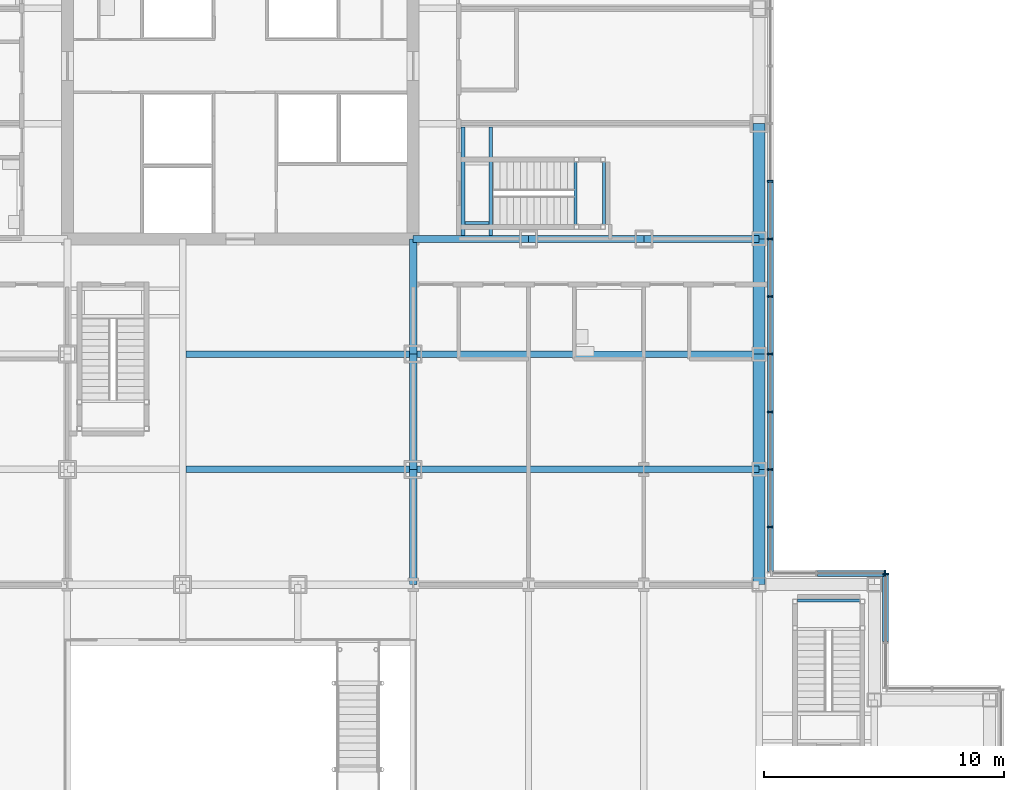
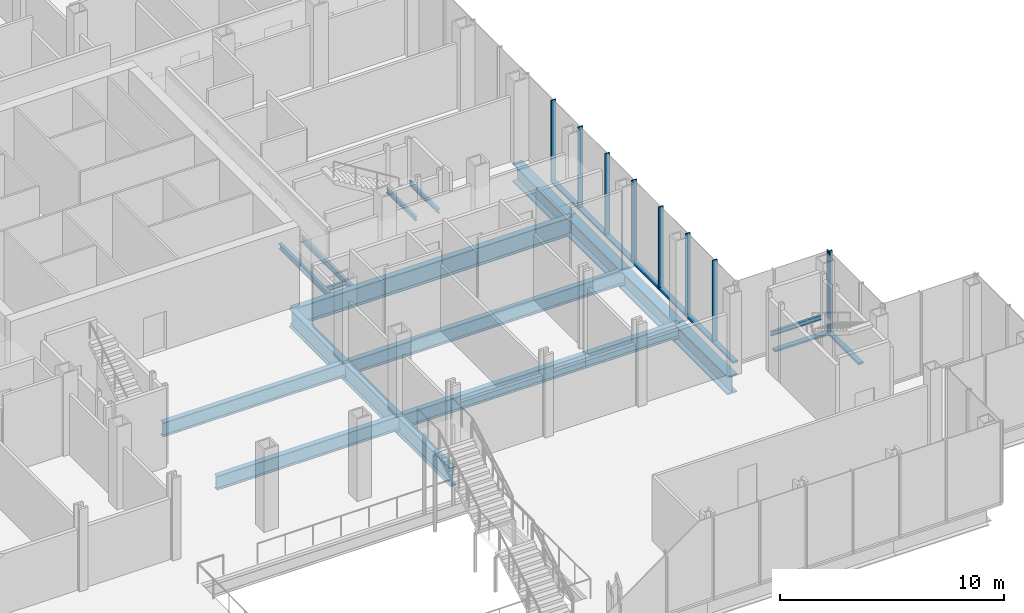
# One storey, part 14 of 28: 21 beams, 18 members, 3 elements without a shape of their own.
"""IFC4 building model written with IfcOpenShell, lengths in metres."""

from ifc_helpers import new_model, si_unit, direction, frame, origin, origin_2d, place, context, subcontext, project, spatial, rectangle, i_section, extrude, material, material_profile, profile_set, type_object, element, aggregate, save


model = new_model("IFC4")

# Units and contexts
model_context = context("Model", 3, precision=1e-05, world=origin(), true_north=direction((0.0, 1.0)))
body_context = subcontext(model_context, "Body", "Model", "MODEL_VIEW")
ifc_project = project(units=[si_unit("LENGTHUNIT", "METRE"), si_unit("AREAUNIT", "SQUARE_METRE"), si_unit("VOLUMEUNIT", "CUBIC_METRE"), si_unit("PLANEANGLEUNIT", "RADIAN"), si_unit("MASSUNIT", "GRAM", prefix="KILO")], contexts=[model_context])

# Site, building, storey
site_placement = place(None, origin())
site = spatial("IfcSite", under=ifc_project, at=site_placement, CompositionType="ELEMENT")
building_placement = place(site_placement, origin())
building = spatial("IfcBuilding", under=site, at=building_placement, Name="Kvirike Care Tower", CompositionType="ELEMENT")
storey_placement = place(building_placement, frame((0.0, 0.0, 4.5)))
storey = spatial("IfcBuildingStorey", under=building, at=storey_placement, Name="L01", CompositionType="ELEMENT", Elevation=4.5)

# Curtain wall, member
ifc_material_1 = material(Name="Anodised aluminium stick system", Category="aluminium")
curtain_wall_type = type_object("IfcCurtainWallType", Name="CW-P PODIUM STICK CURTAIN WALL", PredefinedType="NOTDEFINED", material=ifc_material_1)
curtain_wall_1_placement = place(storey_placement, origin())
curtain_wall_1 = element("IfcCurtainWall", 1, at=curtain_wall_1_placement, inside=storey, type_object=curtain_wall_type, Name="Curtain wall L01 face 6", PredefinedType="NOTDEFINED")
ifc_material_2 = material(Name="Bronze anodised aluminium mullion", Category="aluminium")
ifc_material_profile_1 = material_profile(ifc_material_2, rectangle(XDim=0.06494140625, YDim=0.25, at=origin_2d()), Name="CW-P MULLION 65x250")
ifc_profile_set_1 = profile_set([ifc_material_profile_1], Name="Bronze anodised aluminium mullion")
member_type_1 = type_object("IfcMemberType", Name="CW-P MULLION 65x250", PredefinedType="MULLION", material=ifc_profile_set_1)
member_1_placement = place(storey_placement, frame((48.47509765625, 14.842529296875, 0.0), z_axis=(0.0, 0.0, 1.0), x_axis=(0.0, 1.0, 0.0)))
member_1 = element("IfcMember", 2, at=member_1_placement, type_object=member_type_1, Name="CW-P mullion L01 face 6.3", PredefinedType="MULLION", context=body_context, shape_type="SweptSolid", body=[
    extrude(rectangle(XDim=0.06494140625, YDim=0.25, at=origin_2d()), origin(), (0.0, 0.0, 1.0), 4.5),
])

curtain_wall_2_placement = place(storey_placement, origin())
curtain_wall_2 = element("IfcCurtainWall", 3, at=curtain_wall_2_placement, inside=storey, type_object=curtain_wall_type, Name="Curtain wall L01 face 7", PredefinedType="NOTDEFINED")
member_2_placement = place(storey_placement, frame((48.4423828125, 14.875, 0.0), z_axis=(0.0, 0.0, 1.0), x_axis=(-1.0, 0.0, 0.0)))
member_2 = element("IfcMember", 4, at=member_2_placement, type_object=member_type_1, Name="CW-P mullion L01 face 7.1", PredefinedType="MULLION", context=body_context, shape_type="SweptSolid", body=[
    extrude(rectangle(XDim=0.06494140625, YDim=0.25, at=origin_2d()), origin(), (0.0, 0.0, 1.0), 4.5),
])

# Curtain wall, members
curtain_wall_3_placement = place(storey_placement, origin())
curtain_wall_3 = element("IfcCurtainWall", 5, at=curtain_wall_3_placement, inside=storey, type_object=curtain_wall_type, Name="Curtain wall L01 face 8", PredefinedType="NOTDEFINED")
member_3_placement = place(storey_placement, frame((43.675048828125, 16.800048828125, 0.0), z_axis=(0.0, 0.0, 1.0), x_axis=(0.0, 1.0, 0.0)))
member_3 = element("IfcMember", 6, at=member_3_placement, type_object=member_type_1, Name="CW-P mullion L01 face 8.2", PredefinedType="MULLION", context=body_context, shape_type="SweptSolid", body=[
    extrude(rectangle(XDim=0.06494140625, YDim=0.25, at=origin_2d()), origin(), (0.0, 0.0, 1.0), 4.5),
])
member_4_placement = place(storey_placement, frame((43.675048828125, 19.199951171875, 0.0), z_axis=(0.0, 0.0, 1.0), x_axis=(0.0, 1.0, 0.0)))
member_4 = element("IfcMember", 7, at=member_4_placement, type_object=member_type_1, Name="CW-P mullion L01 face 8.3", PredefinedType="MULLION", context=body_context, shape_type="SweptSolid", body=[
    extrude(rectangle(XDim=0.06494140625, YDim=0.25, at=origin_2d()), origin(), (0.0, 0.0, 1.0), 4.5),
])
member_5_placement = place(storey_placement, frame((43.675048828125, 21.60009765625, 0.0), z_axis=(0.0, 0.0, 1.0), x_axis=(0.0, 1.0, 0.0)))
member_5 = element("IfcMember", 8, at=member_5_placement, type_object=member_type_1, Name="CW-P mullion L01 face 8.4", PredefinedType="MULLION", context=body_context, shape_type="SweptSolid", body=[
    extrude(rectangle(XDim=0.06494140625, YDim=0.25, at=origin_2d()), origin(), (0.0, 0.0, 1.0), 4.5),
])
member_6_placement = place(storey_placement, frame((43.675048828125, 24.0, 0.0), z_axis=(0.0, 0.0, 1.0), x_axis=(0.0, 1.0, 0.0)))
member_6 = element("IfcMember", 9, at=member_6_placement, type_object=member_type_1, Name="CW-P mullion L01 face 8.5", PredefinedType="MULLION", context=body_context, shape_type="SweptSolid", body=[
    extrude(rectangle(XDim=0.06494140625, YDim=0.25, at=origin_2d()), origin(), (0.0, 0.0, 1.0), 4.5),
])
member_7_placement = place(storey_placement, frame((43.675048828125, 26.39990234375, 0.0), z_axis=(0.0, 0.0, 1.0), x_axis=(0.0, 1.0, 0.0)))
member_7 = element("IfcMember", 10, at=member_7_placement, type_object=member_type_1, Name="CW-P mullion L01 face 8.6", PredefinedType="MULLION", context=body_context, shape_type="SweptSolid", body=[
    extrude(rectangle(XDim=0.06494140625, YDim=0.25, at=origin_2d()), origin(), (0.0, 0.0, 1.0), 4.5),
])
member_8_placement = place(storey_placement, frame((43.675048828125, 28.800048828125, 0.0), z_axis=(0.0, 0.0, 1.0), x_axis=(0.0, 1.0, 0.0)))
member_8 = element("IfcMember", 11, at=member_8_placement, type_object=member_type_1, Name="CW-P mullion L01 face 8.7", PredefinedType="MULLION", context=body_context, shape_type="SweptSolid", body=[
    extrude(rectangle(XDim=0.06494140625, YDim=0.25, at=origin_2d()), origin(), (0.0, 0.0, 1.0), 4.5),
])
member_9_placement = place(storey_placement, frame((43.675048828125, 31.199951171875, 0.0), z_axis=(0.0, 0.0, 1.0), x_axis=(0.0, 1.0, 0.0)))
member_9 = element("IfcMember", 12, at=member_9_placement, type_object=member_type_1, Name="CW-P mullion L01 face 8.8", PredefinedType="MULLION", context=body_context, shape_type="SweptSolid", body=[
    extrude(rectangle(XDim=0.06494140625, YDim=0.25, at=origin_2d()), origin(), (0.0, 0.0, 1.0), 4.5),
])

# Member
ifc_material_3 = material(Name="Bronze anodised aluminium transom", Category="aluminium")
ifc_material_profile_2 = material_profile(ifc_material_3, rectangle(XDim=0.25, YDim=0.10009765625, at=origin_2d()), Name="CW-P TRANSOM 250x100")
ifc_profile_set_2 = profile_set([ifc_material_profile_2], Name="Bronze anodised aluminium transom")
member_type_2 = type_object("IfcMemberType", Name="CW-P TRANSOM 250x100", PredefinedType="USERDEFINED", material=ifc_profile_set_2)
member_10_placement = place(storey_placement, frame((48.47509765625, 12.032470703125, 0.050048828125), z_axis=(0.0, 1.0, 0.0), x_axis=(-1.0, 0.0, 0.0)))
member_10 = element("IfcMember", 13, at=member_10_placement, type_object=member_type_2, Name="CW-P sill transom L01 face 6.2", ObjectType="TRANSOM", PredefinedType="USERDEFINED", context=body_context, shape_type="SweptSolid", body=[
    extrude(rectangle(XDim=0.25, YDim=0.10009765625, at=origin_2d()), origin(), (0.0, 0.0, 1.0), 2.777587890625),
])

aggregate(curtain_wall_1, [member_1, member_10])

member_11_placement = place(storey_placement, frame((48.409912109375, 14.875, 0.050048828125), z_axis=(-1.0, 0.0, 0.0), x_axis=(0.0, -1.0, 0.0)))
member_11 = element("IfcMember", 14, at=member_11_placement, type_object=member_type_2, Name="CW-P sill transom L01 face 7.1", ObjectType="TRANSOM", PredefinedType="USERDEFINED", context=body_context, shape_type="SweptSolid", body=[
    extrude(rectangle(XDim=0.25, YDim=0.10009765625, at=origin_2d()), origin(), (0.0, 0.0, 1.0), 2.77734375),
])

aggregate(curtain_wall_2, [member_2, member_11])

member_12_placement = place(storey_placement, frame((43.675048828125, 14.93994140625, 0.050048828125), z_axis=(0.0, 1.0, 0.0), x_axis=(-1.0, 0.0, 0.0)))
member_12 = element("IfcMember", 15, at=member_12_placement, type_object=member_type_2, Name="CW-P sill transom L01 face 8.1", ObjectType="TRANSOM", PredefinedType="USERDEFINED", context=body_context, shape_type="SweptSolid", body=[
    extrude(rectangle(XDim=0.25, YDim=0.10009765625, at=origin_2d()), origin(), (0.0, 0.0, 1.0), 1.82763671875),
])

member_13_placement = place(storey_placement, frame((43.675048828125, 16.83251953125, 0.050048828125), z_axis=(0.0, 1.0, 0.0), x_axis=(-1.0, 0.0, 0.0)))
member_13 = element("IfcMember", 16, at=member_13_placement, type_object=member_type_2, Name="CW-P sill transom L01 face 8.2", ObjectType="TRANSOM", PredefinedType="USERDEFINED", context=body_context, shape_type="SweptSolid", body=[
    extrude(rectangle(XDim=0.25, YDim=0.10009765625, at=origin_2d()), origin(), (0.0, 0.0, 1.0), 2.3349609375),
])

member_14_placement = place(storey_placement, frame((43.675048828125, 19.232421875, 0.050048828125), z_axis=(0.0, 1.0, 0.0), x_axis=(-1.0, 0.0, 0.0)))
member_14 = element("IfcMember", 17, at=member_14_placement, type_object=member_type_2, Name="CW-P sill transom L01 face 8.3", ObjectType="TRANSOM", PredefinedType="USERDEFINED", context=body_context, shape_type="SweptSolid", body=[
    extrude(rectangle(XDim=0.25, YDim=0.10009765625, at=origin_2d()), origin(), (0.0, 0.0, 1.0), 2.3349609375),
])

member_15_placement = place(storey_placement, frame((43.675048828125, 21.632568359375, 0.050048828125), z_axis=(0.0, 1.0, 0.0), x_axis=(-1.0, 0.0, 0.0)))
member_15 = element("IfcMember", 18, at=member_15_placement, type_object=member_type_2, Name="CW-P sill transom L01 face 8.4", ObjectType="TRANSOM", PredefinedType="USERDEFINED", context=body_context, shape_type="SweptSolid", body=[
    extrude(rectangle(XDim=0.25, YDim=0.10009765625, at=origin_2d()), origin(), (0.0, 0.0, 1.0), 2.3349609375),
])

member_16_placement = place(storey_placement, frame((43.675048828125, 24.032470703125, 0.050048828125), z_axis=(0.0, 1.0, 0.0), x_axis=(-1.0, 0.0, 0.0)))
member_16 = element("IfcMember", 19, at=member_16_placement, type_object=member_type_2, Name="CW-P sill transom L01 face 8.5", ObjectType="TRANSOM", PredefinedType="USERDEFINED", context=body_context, shape_type="SweptSolid", body=[
    extrude(rectangle(XDim=0.25, YDim=0.10009765625, at=origin_2d()), origin(), (0.0, 0.0, 1.0), 2.3349609375),
])

member_17_placement = place(storey_placement, frame((43.675048828125, 26.4326171875, 0.050048828125), z_axis=(0.0, 1.0, 0.0), x_axis=(-1.0, 0.0, 0.0)))
member_17 = element("IfcMember", 20, at=member_17_placement, type_object=member_type_2, Name="CW-P sill transom L01 face 8.6", ObjectType="TRANSOM", PredefinedType="USERDEFINED", context=body_context, shape_type="SweptSolid", body=[
    extrude(rectangle(XDim=0.25, YDim=0.10009765625, at=origin_2d()), origin(), (0.0, 0.0, 1.0), 2.3349609375),
])

member_18_placement = place(storey_placement, frame((43.675048828125, 28.83251953125, 0.050048828125), z_axis=(0.0, 1.0, 0.0), x_axis=(-1.0, 0.0, 0.0)))
member_18 = element("IfcMember", 21, at=member_18_placement, type_object=member_type_2, Name="CW-P sill transom L01 face 8.7", ObjectType="TRANSOM", PredefinedType="USERDEFINED", context=body_context, shape_type="SweptSolid", body=[
    extrude(rectangle(XDim=0.25, YDim=0.10009765625, at=origin_2d()), origin(), (0.0, 0.0, 1.0), 2.3349609375),
])

aggregate(curtain_wall_3, [member_3, member_4, member_5, member_6, member_7, member_8, member_9, member_12, member_13, member_14, member_15, member_16, member_17, member_18])

# Beams
ifc_material_4 = material(Name="Steel S355", Category="steel")
ifc_material_profile_3 = material_profile(ifc_material_4, i_section(OverallWidth=0.26806640625, OverallDepth=0.77001953125, WebThickness=0.015625, FlangeThickness=0.025390625, FilletRadius=0.01708984375, at=origin_2d()), Name="IPE 750x196")
ifc_profile_set_3 = profile_set([ifc_material_profile_3], Name="Steel S355")
beam_type_1 = type_object("IfcBeamType", Name="FLOOR BEAM IPE 750x196", PredefinedType="BEAM", material=ifc_profile_set_3)
beam_1_placement = place(storey_placement, frame((19.333984375, 19.199951171875, -0.554931640625), z_axis=(1.0, 0.0, 0.0), x_axis=(0.0, 1.0, 0.0)))
element("IfcBeam", 22, at=beam_1_placement, inside=storey, type_object=beam_type_1, Name="Floor Beam E7-E9 L01", PredefinedType="BEAM", context=body_context, shape_type="SweptSolid", body=[
    extrude(i_section(OverallWidth=0.26806640625, OverallDepth=0.77001953125, WebThickness=0.015625, FlangeThickness=0.025390625, FilletRadius=0.01708984375, at=origin_2d()), origin(), (0.0, 0.0, 1.0), 9.466064453125),
])
beam_2_placement = place(storey_placement, frame((28.800048828125, 19.199951171875, -0.554931640625), z_axis=(1.0, 0.0, 0.0), x_axis=(0.0, 1.0, 0.0)))
element("IfcBeam", 23, at=beam_2_placement, inside=storey, type_object=beam_type_1, Name="Floor Beam E9-E11 L01", PredefinedType="BEAM", context=body_context, shape_type="SweptSolid", body=[
    extrude(i_section(OverallWidth=0.26806640625, OverallDepth=0.77001953125, WebThickness=0.015625, FlangeThickness=0.025390625, FilletRadius=0.01708984375, at=origin_2d()), origin(), (0.0, 0.0, 1.0), 9.599853515625),
])
beam_3_placement = place(storey_placement, frame((38.39990234375, 19.199951171875, -0.554931640625), z_axis=(1.0, 0.0, 0.0), x_axis=(0.0, 1.0, 0.0)))
element("IfcBeam", 24, at=beam_3_placement, inside=storey, type_object=beam_type_1, Name="Floor Beam E11-E12 L01", PredefinedType="BEAM", context=body_context, shape_type="SweptSolid", body=[
    extrude(i_section(OverallWidth=0.26806640625, OverallDepth=0.77001953125, WebThickness=0.015625, FlangeThickness=0.025390625, FilletRadius=0.01708984375, at=origin_2d()), origin(), (0.0, 0.0, 1.0), 4.800048828125),
])
beam_4_placement = place(storey_placement, frame((19.333984375, 24.0, -0.554931640625), z_axis=(1.0, 0.0, 0.0), x_axis=(0.0, 1.0, 0.0)))
element("IfcBeam", 25, at=beam_4_placement, inside=storey, type_object=beam_type_1, Name="Floor Beam F7-F9 L01", PredefinedType="BEAM", context=body_context, shape_type="SweptSolid", body=[
    extrude(i_section(OverallWidth=0.26806640625, OverallDepth=0.77001953125, WebThickness=0.015625, FlangeThickness=0.025390625, FilletRadius=0.01708984375, at=origin_2d()), origin(), (0.0, 0.0, 1.0), 9.466064453125),
])
beam_5_placement = place(storey_placement, frame((28.800048828125, 24.0, -0.554931640625), z_axis=(1.0, 0.0, 0.0), x_axis=(0.0, 1.0, 0.0)))
element("IfcBeam", 26, at=beam_5_placement, inside=storey, type_object=beam_type_1, Name="Floor Beam F9-F12 L01", PredefinedType="BEAM", context=body_context, shape_type="SweptSolid", body=[
    extrude(i_section(OverallWidth=0.26806640625, OverallDepth=0.77001953125, WebThickness=0.015625, FlangeThickness=0.025390625, FilletRadius=0.01708984375, at=origin_2d()), origin(), (0.0, 0.0, 1.0), 14.39990234375),
])
ifc_material_5 = material(Name="Steel S355", Category="steel")
ifc_material_profile_4 = material_profile(ifc_material_5, i_section(OverallWidth=0.300048828125, OverallDepth=1.0, WebThickness=0.01904296875, FlangeThickness=0.035888671875, FilletRadius=0.030029296875, at=origin_2d()), Name="HE 1000 B")
ifc_profile_set_4 = profile_set([ifc_material_profile_4], Name="Steel S355")
beam_type_2 = type_object("IfcBeamType", Name="FRAME BEAM HE 1000 B", PredefinedType="BEAM", material=ifc_profile_set_4)
beam_6_placement = place(storey_placement, frame((28.800048828125, 28.800048828125, -0.669921875), z_axis=(1.0, 0.0, 0.0), x_axis=(0.0, 1.0, 0.0)))
element("IfcBeam", 27, at=beam_6_placement, inside=storey, type_object=beam_type_2, Name="Frame Beam G9-G10 L01", PredefinedType="BEAM", context=body_context, shape_type="SweptSolid", body=[
    extrude(i_section(OverallWidth=0.300048828125, OverallDepth=1.0, WebThickness=0.01904296875, FlangeThickness=0.035888671875, FilletRadius=0.030029296875, at=origin_2d()), origin(), (0.0, 0.0, 1.0), 4.800048828125),
])
beam_7_placement = place(storey_placement, frame((33.60009765625, 28.800048828125, -0.669921875), z_axis=(1.0, 0.0, 0.0), x_axis=(0.0, 1.0, 0.0)))
element("IfcBeam", 28, at=beam_7_placement, inside=storey, type_object=beam_type_2, Name="Frame Beam G10-G11 L01", PredefinedType="BEAM", context=body_context, shape_type="SweptSolid", body=[
    extrude(i_section(OverallWidth=0.300048828125, OverallDepth=1.0, WebThickness=0.01904296875, FlangeThickness=0.035888671875, FilletRadius=0.030029296875, at=origin_2d()), origin(), (0.0, 0.0, 1.0), 4.7998046875),
])
for number, where, z_axis, x_axis, name in (
    (29, (38.39990234375, 28.800048828125, -0.669921875), (1.0, 0.0, 0.0), (0.0, 1.0, 0.0), "Frame Beam G11-G12 L01"),
    (30, (28.800048828125, 14.39990234375, -0.669921875), (0.0, 1.0, 0.0), (-1.0, 0.0, 0.0), "Frame Beam D9-E9 L01"),
    (31, (28.800048828125, 19.199951171875, -0.669921875), (0.0, 1.0, 0.0), (-1.0, 0.0, 0.0), "Frame Beam E9-F9 L01"),
    (32, (28.800048828125, 24.0, -0.669921875), (0.0, 1.0, 0.0), (-1.0, 0.0, 0.0), "Frame Beam F9-G9 L01"),
):
    element("IfcBeam", number, at=place(storey_placement, frame(where, z_axis=z_axis, x_axis=x_axis)), inside=storey, type_object=beam_type_2, Name=name, PredefinedType="BEAM", context=body_context, shape_type="SweptSolid", body=[
        extrude(i_section(OverallWidth=0.300048828125, OverallDepth=1.0, WebThickness=0.01904296875, FlangeThickness=0.035888671875, FilletRadius=0.030029296875, at=origin_2d()), origin(), (0.0, 0.0, 1.0), 4.800048828125),
    ])
ifc_material_6 = material(Name="Steel S355", Category="steel")
ifc_material_profile_5 = material_profile(ifc_material_6, i_section(OverallWidth=0.5, OverallDepth=1.0, WebThickness=0.030029296875, FlangeThickness=0.06005859375, at=origin_2d()), Name="PG 1000x500x30x60")
ifc_profile_set_5 = profile_set([ifc_material_profile_5], Name="Steel S355")
beam_type_3 = type_object("IfcBeamType", Name="SPANDREL PG 1000x500x30x60", PredefinedType="SPANDREL", material=ifc_profile_set_5)
for number, where, z_axis, x_axis, name in (
    (33, (43.199951171875, 14.39990234375, -0.669921875), (0.0, 1.0, 0.0), (-1.0, 0.0, 0.0), "Spandrel D12-E12 L01"),
    (34, (43.199951171875, 19.199951171875, -0.669921875), (0.0, 1.0, 0.0), (-1.0, 0.0, 0.0), "Spandrel E12-F12 L01"),
    (35, (43.199951171875, 24.0, -0.669921875), (0.0, 1.0, 0.0), (-1.0, 0.0, 0.0), "Spandrel F12-G12 L01"),
    (36, (43.199951171875, 28.800048828125, -0.669921875), (0.0, 1.0, 0.0), (-1.0, 0.0, 0.0), "Spandrel G12-H12 L01"),
):
    element("IfcBeam", number, at=place(storey_placement, frame(where, z_axis=z_axis, x_axis=x_axis)), inside=storey, type_object=beam_type_3, Name=name, PredefinedType="SPANDREL", context=body_context, shape_type="SweptSolid", body=[
        extrude(i_section(OverallWidth=0.5, OverallDepth=1.0, WebThickness=0.030029296875, FlangeThickness=0.06005859375, at=origin_2d()), origin(), (0.0, 0.0, 1.0), 4.800048828125),
    ])
ifc_material_7 = material(Name="Steel S355", Category="steel")
ifc_material_profile_6 = material_profile(ifc_material_7, i_section(OverallWidth=0.1201171875, OverallDepth=0.239990234375, WebThickness=0.006103515625, FlangeThickness=0.009765625, FilletRadius=0.014892578125, at=origin_2d()), Name="IPE 240")
ifc_profile_set_6 = profile_set([ifc_material_profile_6], Name="Steel S355")
beam_type_4 = type_object("IfcBeamType", Name="STAIR LANDING BEAM IPE 240", PredefinedType="BEAM", material=ifc_profile_set_6)
for number, where, z_axis, x_axis, name in (
    (37, (36.739990234375, 29.39990234375, 1.929931640625), (0.0, 1.0, 0.0), (-1.0, 0.0, 0.0), "Stair 2 landing beam back L01"),
    (38, (35.56005859375, 29.39990234375, 1.929931640625), (0.0, 1.0, 0.0), (-1.0, 0.0, 0.0), "Stair 2 landing beam front L01"),
):
    element("IfcBeam", number, at=place(storey_placement, frame(where, z_axis=z_axis, x_axis=x_axis)), inside=storey, type_object=beam_type_4, Name=name, PredefinedType="BEAM", context=body_context, shape_type="SweptSolid", body=[
        extrude(i_section(OverallWidth=0.1201171875, OverallDepth=0.239990234375, WebThickness=0.006103515625, FlangeThickness=0.009765625, FilletRadius=0.014892578125, at=origin_2d()), origin(), (0.0, 0.0, 1.0), 2.60009765625),
    ])
beam_8_placement = place(storey_placement, frame((31.949951171875, 29.4599609375, -0.320068359375), z_axis=(-1.0, 0.0, 0.0), x_axis=(0.0, -1.0, 0.0)))
element("IfcBeam", 39, at=beam_8_placement, inside=storey, type_object=beam_type_4, Name="Stair 2 landing edge beam 1 L01", PredefinedType="BEAM", context=body_context, shape_type="SweptSolid", body=[
    extrude(i_section(OverallWidth=0.1201171875, OverallDepth=0.239990234375, WebThickness=0.006103515625, FlangeThickness=0.009765625, FilletRadius=0.014892578125, at=origin_2d()), origin(), (0.0, 0.0, 1.0), 1.0),
])
beam_9_placement = place(storey_placement, frame((44.800048828125, 13.739990234375, 1.929931640625), z_axis=(1.0, 0.0, 0.0), x_axis=(0.0, 1.0, 0.0)))
element("IfcBeam", 40, at=beam_9_placement, inside=storey, type_object=beam_type_4, Name="Stair 4 landing beam back L01", PredefinedType="BEAM", context=body_context, shape_type="SweptSolid", body=[
    extrude(i_section(OverallWidth=0.1201171875, OverallDepth=0.239990234375, WebThickness=0.006103515625, FlangeThickness=0.009765625, FilletRadius=0.014892578125, at=origin_2d()), origin(), (0.0, 0.0, 1.0), 2.599853515625),
])
ifc_material_8 = material(Name="Steel S355", Category="steel")
ifc_material_profile_7 = material_profile(ifc_material_8, i_section(OverallWidth=0.14990234375, OverallDepth=0.300048828125, WebThickness=0.007080078125, FlangeThickness=0.0107421875, FilletRadius=0.014892578125, at=origin_2d()), Name="IPE 300")
ifc_profile_set_7 = profile_set([ifc_material_profile_7], Name="Steel S355")
beam_type_5 = type_object("IfcBeamType", Name="STAIR TRIMMER IPE 300", PredefinedType="BEAM", material=ifc_profile_set_7)
for number, where, z_axis, x_axis, name in (
    (41, (32.02490234375, 28.949951171875, -0.35009765625), (0.0, 1.0, 0.0), (-1.0, 0.0, 0.0), "Stair 2 trimmer 1 L01"),
    (42, (30.875, 28.949951171875, -0.35009765625), (0.0, 1.0, 0.0), (-1.0, 0.0, 0.0), "Stair 2 trimmer 2 L01"),
):
    element("IfcBeam", number, at=place(storey_placement, frame(where, z_axis=z_axis, x_axis=x_axis)), inside=storey, type_object=beam_type_5, Name=name, PredefinedType="BEAM", context=body_context, shape_type="SweptSolid", body=[
        extrude(i_section(OverallWidth=0.14990234375, OverallDepth=0.300048828125, WebThickness=0.007080078125, FlangeThickness=0.0107421875, FilletRadius=0.014892578125, at=origin_2d()), origin(), (0.0, 0.0, 1.0), 4.51611328125),
    ])

save(model, "model.ifc")
